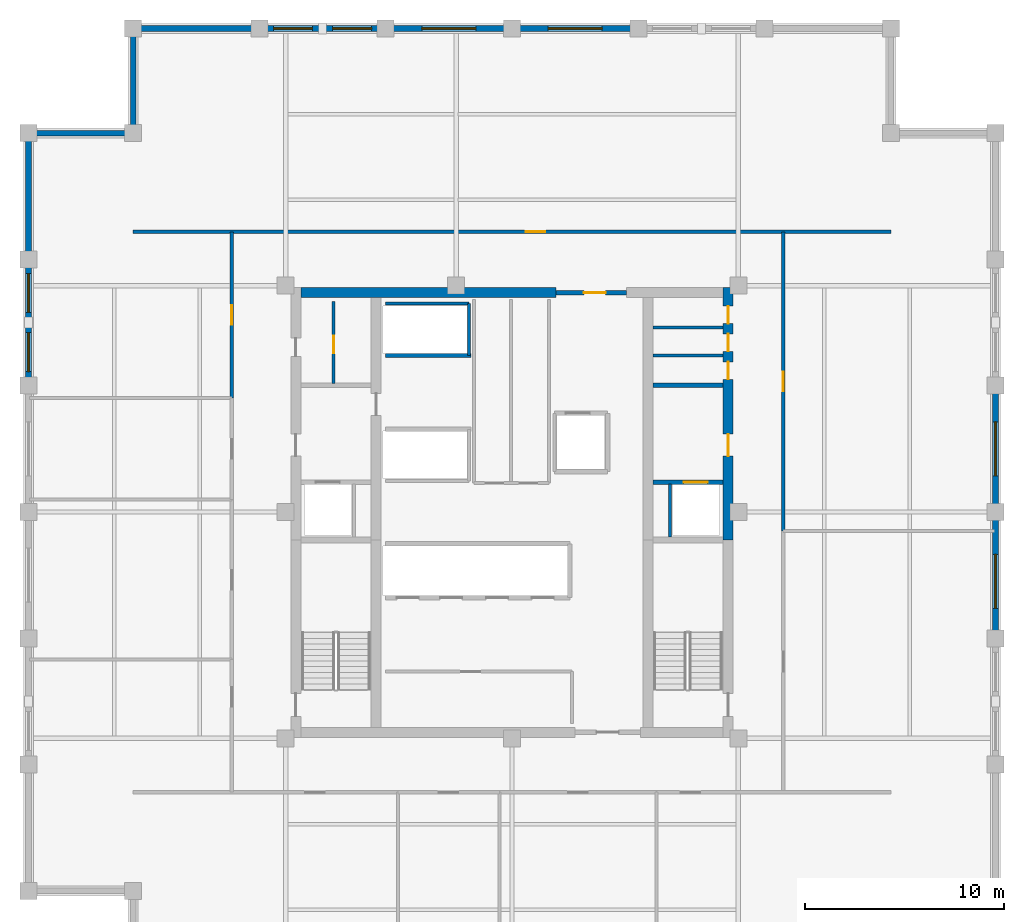
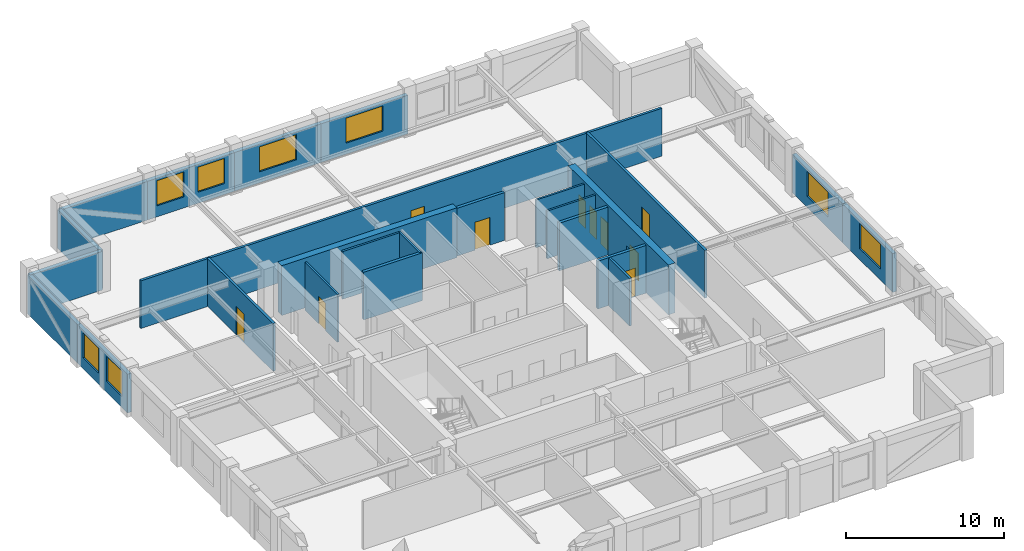
# One storey, part 4 of 6: 25 walls, 10 doors, 8 windows, 18 openings.
"""IFC4 building model written with IfcOpenShell, lengths in metres."""

import ifcopenshell
import ifcopenshell.guid

model = None  # the IFC model being written
_history = None  # IfcOwnerHistory: only IFC2X3 demands one
_inside = {}  # id of a spatial element -> (the spatial element, [elements in it])
_under = {}  # id of a project, library or spatial element -> (it, [spatial elements below it])
_declared = {}  # id of a project -> (the project, [libraries it declares])
_typed = {}  # id of a type object -> (the type object, [elements of that type])
_made_of = {}  # id of a material, layer set ... -> (it, [elements and type objects made of it])


def new_model(schema):
    """Start an empty IFC model of exactly this schema.

    Asked for "IFC4X3", IfcOpenShell would pick the latest addendum, in which some entities
    have other attributes; the version numbers below select the first issue.
    IFC2X3 requires an IfcOwnerHistory on every rooted entity: one is made here for all.
    """
    global model, _history
    if schema == "IFC4X3":
        model = ifcopenshell.file(schema_version=(4, 3, 0, 0))
    else:
        model = ifcopenshell.file(schema=schema)
    _inside.clear()
    _under.clear()
    _declared.clear()
    _typed.clear()
    _made_of.clear()
    _history = None
    if model.schema == "IFC2X3":
        org = make("IfcOrganization", Name="unknown")
        user = make(
            "IfcPersonAndOrganization",
            ThePerson=make("IfcPerson", FamilyName="unknown"),
            TheOrganization=org,
        )
        app = make(
            "IfcApplication",
            ApplicationDeveloper=org,
            Version="unknown",
            ApplicationFullName="unknown",
            ApplicationIdentifier="unknown",
        )
        _history = make(
            "IfcOwnerHistory",
            OwningUser=user,
            OwningApplication=app,
            ChangeAction="ADDED",
            CreationDate=0,
        )
    return model


def make(cls, **values):
    """One entity of the class cls with the attributes given. An attribute that is None is left unset."""
    return model.create_entity(
        cls, **{name: value for name, value in values.items() if value is not None}
    )


def rooted(cls, **values):
    """An entity with a GlobalId (a new one), such as an element, a storey or a relation."""
    return make(cls, GlobalId=ifcopenshell.guid.new(), OwnerHistory=_history, **values)


def si_unit(unit_type, name, prefix=None):
    """IfcSIUnit, for example si_unit("LENGTHUNIT", "METRE", prefix="MILLI")."""
    return make("IfcSIUnit", UnitType=unit_type, Prefix=prefix, Name=name)


def assignment(units):
    """IfcUnitAssignment: the units of a project."""
    return None if units is None else make("IfcUnitAssignment", Units=units)


def point(xyz):
    """IfcCartesianPoint."""
    return None if xyz is None else make("IfcCartesianPoint", Coordinates=xyz)


def direction(xyz):
    """IfcDirection."""
    return None if xyz is None else make("IfcDirection", DirectionRatios=xyz)


def frame(location, z_axis=None, x_axis=None):
    """IfcAxis2Placement3D, a coordinate frame: its origin and axes. An axis left out is left unset."""
    return make(
        "IfcAxis2Placement3D",
        Location=point(location),
        Axis=direction(z_axis),
        RefDirection=direction(x_axis),
    )


def frame_2d(location, x_axis=None):
    """IfcAxis2Placement2D, a coordinate frame in the plane: its origin and x axis."""
    return make(
        "IfcAxis2Placement2D", Location=point(location), RefDirection=direction(x_axis)
    )


def origin():
    """The frame at (0, 0, 0) with its axes left unset."""
    return frame((0.0, 0.0, 0.0))


def place(relative_to, where):
    """IfcLocalPlacement: puts the frame where relative to a parent placement (None: the world)."""
    return make(
        "IfcLocalPlacement", PlacementRelTo=relative_to, RelativePlacement=where
    )


def context(
    kind, dimensions, precision=None, world=None, true_north=None, identifier=None
):
    """IfcGeometricRepresentationContext, for example the 3D "Model" context."""
    return make(
        "IfcGeometricRepresentationContext",
        ContextIdentifier=identifier,
        ContextType=kind,
        CoordinateSpaceDimension=dimensions,
        Precision=precision,
        WorldCoordinateSystem=world,
        TrueNorth=true_north,
    )


def subcontext(parent, identifier, kind, view, scale=None):
    """IfcGeometricRepresentationSubContext, for example "Body" below "Model"."""
    return make(
        "IfcGeometricRepresentationSubContext",
        ContextIdentifier=identifier,
        ContextType=kind,
        ParentContext=parent,
        TargetScale=scale,
        TargetView=view,
    )


def project(units=None, contexts=None):
    """IfcProject with its units and contexts."""
    return rooted(
        "IfcProject",
        Name="project",
        RepresentationContexts=contexts,
        UnitsInContext=assignment(units),
    )


def spatial(cls, under=None, at=None, **own):
    """A site, building, storey or space (cls), placed at a placement, below another one or the project."""
    s = rooted(cls, ObjectPlacement=at, **own)
    if under is not None:
        _under.setdefault(under.id(), (under, []))[1].append(s)
    return s


def profile(cls, at=None, kind="AREA", **sizes):
    """A parametric profile (cls). Its sizes go by their IFC names, for example OverallWidth=200.0."""
    return make(cls, ProfileType=kind, Position=at, **sizes)


def rectangle(**sizes):
    """IfcRectangleProfileDef."""
    return profile("IfcRectangleProfileDef", **sizes)


def extrude(swept, where, along, depth):
    """IfcExtrudedAreaSolid: the profile swept, set in the frame where, extruded along a direction by depth."""
    return make(
        "IfcExtrudedAreaSolid",
        SweptArea=swept,
        Position=where,
        ExtrudedDirection=direction(along),
        Depth=depth,
    )


def shape(context_of_items, identifier, shape_type, items):
    """IfcShapeRepresentation: the items that make up one representation, for example the "Body"."""
    return make(
        "IfcShapeRepresentation",
        ContextOfItems=context_of_items,
        RepresentationIdentifier=identifier,
        RepresentationType=shape_type,
        Items=items,
    )


def material(Name=None, Category=None):
    """IfcMaterial."""
    return make("IfcMaterial", Name=Name, Category=Category)


def layer(
    of_material, thickness, ventilated=None, Name=None, Category=None, Priority=None
):
    """IfcMaterialLayer: one layer of a wall or slab, of a material (None: an air gap)."""
    return make(
        "IfcMaterialLayer",
        Material=of_material,
        LayerThickness=thickness,
        IsVentilated=ventilated,
        Name=Name,
        Category=Category,
        Priority=Priority,
    )


def layer_set(layers, Name=None):
    """IfcMaterialLayerSet."""
    return make("IfcMaterialLayerSet", MaterialLayers=layers, LayerSetName=Name)


def made_of(thing, what):
    """Note that an element or type object is made of a material, layer set ...; save() writes the relation."""
    if what is not None:
        _made_of.setdefault(what.id(), (what, []))[1].append(thing)
    return thing


def type_object(cls, material=None, **own):
    """A type object (cls), such as IfcWallType, which elements share."""
    return made_of(rooted(cls, **own), material)


def element(
    cls,
    number,
    at=None,
    inside=None,
    cuts=None,
    type_object=None,
    material=None,
    context=None,
    identifier="Body",
    shape_type=None,
    held_by="IfcProductDefinitionShape",
    body=None,
    shapes=None,
    **own,
):
    """One element of the class cls, such as IfcWall. Its Tag is "e" and its number.

    at: its placement. inside: the storey or other place that contains it. cuts: it is an
    opening in that element (IfcRelVoidsElement). A single representation is given by context,
    identifier, shape_type and body (its items); several are given by shapes. held_by: the class
    of the entity that holds the representations. save() writes the other relations.
    """
    e = rooted(cls, Tag="e%d" % number, ObjectPlacement=at, **own)
    if body is not None:
        shapes = [shape(context, identifier, shape_type, body)]
    if shapes is not None:
        e.Representation = make(held_by, Representations=shapes)
    if inside is not None:
        _inside.setdefault(inside.id(), (inside, []))[1].append(e)
    if cuts is not None:
        rooted(
            "IfcRelVoidsElement", RelatingBuildingElement=cuts, RelatedOpeningElement=e
        )
    if type_object is not None:
        _typed.setdefault(type_object.id(), (type_object, []))[1].append(e)
    return made_of(e, material)


def fill(opening, filler):
    """IfcRelFillsElement: the door or window that sits in an opening."""
    return rooted(
        "IfcRelFillsElement",
        RelatingOpeningElement=opening,
        RelatedBuildingElement=filler,
    )


def aggregate(whole, parts):
    """IfcRelAggregates: a whole, such as a stair, and the parts it consists of."""
    return rooted("IfcRelAggregates", RelatingObject=whole, RelatedObjects=parts)


def save(model, path):
    """Write the relations noted so far, then the file.

    IfcRelAggregates (storeys below a building ...), IfcRelContainedInSpatialStructure (elements
    in a storey), IfcRelDefinesByType, IfcRelAssociatesMaterial and IfcRelDeclares: one each for
    every whole, place, type object, material and project.
    """
    for whole, parts in _under.values():
        aggregate(whole, parts)
    for where, things in _inside.values():
        rooted(
            "IfcRelContainedInSpatialStructure",
            RelatedElements=things,
            RelatingStructure=where,
        )
    for kind, things in _typed.values():
        rooted("IfcRelDefinesByType", RelatedObjects=things, RelatingType=kind)
    for what, things in _made_of.values():
        rooted("IfcRelAssociatesMaterial", RelatedObjects=things, RelatingMaterial=what)
    for by, libraries in _declared.values():
        rooted("IfcRelDeclares", RelatingContext=by, RelatedDefinitions=libraries)
    model.write(path)


model = new_model("IFC4")

# Units and contexts
model_context = context("Model", 3, precision=1e-05, world=origin(), true_north=direction((0.0, 1.0)))
body_context = subcontext(model_context, "Body", "Model", "MODEL_VIEW")
ifc_project = project(units=[si_unit("LENGTHUNIT", "METRE"), si_unit("AREAUNIT", "SQUARE_METRE"), si_unit("VOLUMEUNIT", "CUBIC_METRE"), si_unit("PLANEANGLEUNIT", "RADIAN"), si_unit("MASSUNIT", "GRAM", prefix="KILO")], contexts=[model_context])

# Site, building, storey
site_placement = place(None, origin())
site = spatial("IfcSite", under=ifc_project, at=site_placement, CompositionType="ELEMENT")
building_placement = place(site_placement, origin())
building = spatial("IfcBuilding", under=site, at=building_placement, Name="Nhamokura Convention Tower", CompositionType="ELEMENT")
storey_placement = place(building_placement, frame((0.0, 0.0, 225.39990234375)))
storey = spatial("IfcBuildingStorey", under=building, at=storey_placement, Name="L55", CompositionType="ELEMENT", Elevation=225.39990234375)

# Wall, opening, door
ifc_material_1 = material(Name="Moisture-resistant tile-backer partition", Category="masonry")
ifc_layer_1 = layer(ifc_material_1, 0.139892578125)
ifc_layer_set_1 = layer_set([ifc_layer_1], Name="BathroomWetWall_140")
wall_type_1 = type_object("IfcWallType", Name="BathroomWetWall_140", PredefinedType="STANDARD", material=ifc_layer_set_1)
wall_1_placement = place(storey_placement, frame((23.050048828125, 38.449951171875, 0.0), z_axis=(0.0, 0.0, 1.0), x_axis=(0.0, 1.0, 0.0)))
wall_1 = element("IfcWall", 1, at=wall_1_placement, inside=storey, type_object=wall_type_1, Name="L55 Wall INT-L55-CWNWV", PredefinedType="STANDARD", context=body_context, shape_type="SweptSolid", body=[
    extrude(rectangle(XDim=4.10009765625, YDim=0.139892578125, at=frame_2d((2.050048828125, 0.0))), origin(), (0.0, 0.0, 1.0), 3.68505859375),
])
opening_1_placement = place(wall_1_placement, frame((1.5, 0.0, 0.0)))
opening_1 = element("IfcOpeningElement", 2, at=opening_1_placement, cuts=wall_1, Name="Opening D-11", PredefinedType="OPENING", context=body_context, shape_type="SweptSolid", body=[
    extrude(rectangle(XDim=0.8798828125, YDim=2.10009765625, at=frame_2d((0.43994140625, 1.050048828125))), frame((0.0, 0.079833984375, 0.0), z_axis=(0.0, -1.0, 0.0), x_axis=(1.0, 0.0, 0.0)), (0.0, 0.0, 1.0), 0.159912109375),
])
ifc_material_2 = material(Name="Solid oak hardwood", Category="wood")
door_type_1 = type_object("IfcDoorType", Name="BathroomDoor_880", OperationType="NOTDEFINED", PredefinedType="DOOR", material=ifc_material_2)
door_1_placement = place(opening_1_placement, origin())
door_1 = element("IfcDoor", 3, at=door_1_placement, inside=storey, type_object=door_type_1, Name="L55 Inner Store Door", OperationType="SINGLE_SWING_LEFT", OverallHeight=2.10009765625, OverallWidth=0.8798828125, PredefinedType="DOOR", context=body_context, shape_type="SweptSolid", body=[
    extrude(rectangle(XDim=0.8798828125, YDim=2.10009765625, at=frame_2d((0.43994140625, 1.050048828125))), frame((0.0, 0.02490234375, 0.0), z_axis=(0.0, -1.0, 0.0), x_axis=(1.0, 0.0, 0.0)), (0.0, 0.0, 1.0), 0.050048828125),
])
fill(opening_1, door_1)

# Walls
for number, where, z_axis, x_axis, name in (
    (4, (39.06005859375, 39.85009765625, 0.0), (0.0, 0.0, 1.0), (1.0, 0.0, 0.0), "L55 Wall INT-L55-CWNE1"),
    (5, (39.06005859375, 41.25, 0.0), (0.0, 0.0, 1.0), (1.0, 0.0, 0.0), "L55 Wall INT-L55-CWNE2"),
):
    element("IfcWall", number, at=place(storey_placement, frame(where, z_axis=z_axis, x_axis=x_axis)), inside=storey, type_object=wall_type_1, Name=name, PredefinedType="STANDARD", context=body_context, shape_type="SweptSolid", body=[
        extrude(rectangle(XDim=3.530029296875, YDim=0.139892578125, at=frame_2d((1.76513671875, 0.0))), origin(), (0.0, 0.0, 1.0), 3.68505859375),
    ])
ifc_material_3 = material(Name="Bronze-pigmented precast concrete C45/55", Category="concrete")
ifc_layer_2 = layer(ifc_material_3, 0.280029296875)
ifc_layer_set_2 = layer_set([ifc_layer_2], Name="BronzePrecastSpandrel_280")
wall_type_2 = type_object("IfcWallType", Name="BronzePrecastSpandrel_280", PredefinedType="USERDEFINED", material=ifc_layer_set_2)
wall_2_placement = place(storey_placement, frame((13.0, 56.25, 0.0), z_axis=(0.0, 0.0, 1.0), x_axis=(1.0, 0.0, 0.0)))
element("IfcWall", 6, at=wall_2_placement, inside=storey, type_object=wall_type_2, Name="L55 Braced-Bay Precast Wall NORTH 0", ObjectType="SPANDREL_WALL", PredefinedType="USERDEFINED", context=body_context, shape_type="SweptSolid", body=[
    extrude(rectangle(XDim=6.333251953125, YDim=0.280029296875, at=frame_2d((3.16650390625, 0.0))), origin(), (0.0, 0.0, 1.0), 2.985107421875),
])

# Wall, openings, windows
wall_3_placement = place(storey_placement, frame((19.333251953125, 56.25, 0.0), z_axis=(0.0, 0.0, 1.0), x_axis=(1.0, 0.0, 0.0)))
wall_3 = element("IfcWall", 7, at=wall_3_placement, inside=storey, type_object=wall_type_2, Name="L55 Masonry-Frame Wall NORTH 1", ObjectType="SPANDREL_WALL", PredefinedType="USERDEFINED", context=body_context, shape_type="SweptSolid", body=[
    extrude(rectangle(XDim=6.33349609375, YDim=0.280029296875, at=frame_2d((3.166748046875, 0.0))), origin(), (0.0, 0.0, 1.0), 2.985107421875),
])
opening_2_placement = place(wall_3_placement, frame((0.708251953125, 0.0, 0.85009765625)))
opening_2 = element("IfcOpeningElement", 8, at=opening_2_placement, cuts=wall_3, Name="Opening W-08", PredefinedType="OPENING", context=body_context, shape_type="SweptSolid", body=[
    extrude(rectangle(XDim=1.949951171875, YDim=1.93505859375, at=frame_2d((0.97509765625, 0.967529296875))), frame((0.0, 0.14990234375, 0.0), z_axis=(0.0, -1.0, 0.0), x_axis=(1.0, 0.0, 0.0)), (0.0, 0.0, 1.0), 0.300048828125),
])
opening_3_placement = place(wall_3_placement, frame((3.675048828125, 0.0, 0.85009765625)))
opening_3 = element("IfcOpeningElement", 9, at=opening_3_placement, cuts=wall_3, Name="Opening W-08", PredefinedType="OPENING", context=body_context, shape_type="SweptSolid", body=[
    extrude(rectangle(XDim=1.949951171875, YDim=1.93505859375, at=frame_2d((0.97509765625, 0.967529296875))), frame((0.0, 0.14990234375, 0.0), z_axis=(0.0, -1.0, 0.0), x_axis=(1.0, 0.0, 0.0)), (0.0, 0.0, 1.0), 0.300048828125),
])
ifc_material_4 = material(Name="Solar-control bronze low-E double glass", Category="glass")
window_type_1 = type_object("IfcWindowType", Name="OfficeModuleWindow_Z3_1950", PartitioningType="SINGLE_PANEL", PredefinedType="WINDOW", material=ifc_material_4)
window_1_placement = place(opening_2_placement, origin())
window_1 = element("IfcWindow", 10, at=window_1_placement, inside=storey, type_object=window_type_1, Name="L55 Facade Window NORTH 1-1", OverallHeight=1.93505859375, OverallWidth=1.949951171875, PartitioningType="SINGLE_PANEL", PredefinedType="WINDOW", context=body_context, shape_type="SweptSolid", body=[
    extrude(rectangle(XDim=1.949951171875, YDim=1.93505859375, at=frame_2d((0.97509765625, 0.967529296875))), frame((0.0, 0.030029296875, 0.0), z_axis=(0.0, -1.0, 0.0), x_axis=(1.0, 0.0, 0.0)), (0.0, 0.0, 1.0), 0.06005859375),
])
fill(opening_2, window_1)
window_2_placement = place(opening_3_placement, origin())
window_2 = element("IfcWindow", 11, at=window_2_placement, inside=storey, type_object=window_type_1, Name="L55 Facade Window NORTH 1-2", OverallHeight=1.93505859375, OverallWidth=1.949951171875, PartitioningType="SINGLE_PANEL", PredefinedType="WINDOW", context=body_context, shape_type="SweptSolid", body=[
    extrude(rectangle(XDim=1.949951171875, YDim=1.93505859375, at=frame_2d((0.97509765625, 0.967529296875))), frame((0.0, 0.030029296875, 0.0), z_axis=(0.0, -1.0, 0.0), x_axis=(1.0, 0.0, 0.0)), (0.0, 0.0, 1.0), 0.06005859375),
])
fill(opening_3, window_2)

# Wall, opening, window
wall_4_placement = place(storey_placement, frame((25.666748046875, 56.25, 0.0), z_axis=(0.0, 0.0, 1.0), x_axis=(1.0, 0.0, 0.0)))
wall_4 = element("IfcWall", 12, at=wall_4_placement, inside=storey, type_object=wall_type_2, Name="L55 Masonry-Frame Wall NORTH 2", ObjectType="SPANDREL_WALL", PredefinedType="USERDEFINED", context=body_context, shape_type="SweptSolid", body=[
    extrude(rectangle(XDim=6.333251953125, YDim=0.280029296875, at=frame_2d((3.16650390625, 0.0))), origin(), (0.0, 0.0, 1.0), 2.985107421875),
])
opening_4_placement = place(wall_4_placement, frame((1.816650390625, 0.0, 0.85009765625)))
opening_4 = element("IfcOpeningElement", 13, at=opening_4_placement, cuts=wall_4, Name="Opening W-07", PredefinedType="OPENING", context=body_context, shape_type="SweptSolid", body=[
    extrude(rectangle(XDim=2.699951171875, YDim=1.93505859375, at=frame_2d((1.35009765625, 0.967529296875))), frame((0.0, 0.14990234375, 0.0), z_axis=(0.0, -1.0, 0.0), x_axis=(1.0, 0.0, 0.0)), (0.0, 0.0, 1.0), 0.300048828125),
])
ifc_material_5 = material(Name="Solar-control bronze low-E double glass", Category="glass")
window_type_2 = type_object("IfcWindowType", Name="OfficeModuleWindow_Z3_2700", PartitioningType="DOUBLE_PANEL_VERTICAL", PredefinedType="WINDOW", material=ifc_material_5)
window_3_placement = place(opening_4_placement, origin())
window_3 = element("IfcWindow", 14, at=window_3_placement, inside=storey, type_object=window_type_2, Name="L55 Facade Window NORTH 2", OverallHeight=1.93505859375, OverallWidth=2.699951171875, PartitioningType="SINGLE_PANEL", PredefinedType="WINDOW", context=body_context, shape_type="SweptSolid", body=[
    extrude(rectangle(XDim=2.699951171875, YDim=1.93505859375, at=frame_2d((1.35009765625, 0.967529296875))), frame((0.0, 0.030029296875, 0.0), z_axis=(0.0, -1.0, 0.0), x_axis=(1.0, 0.0, 0.0)), (0.0, 0.0, 1.0), 0.06005859375),
])
fill(opening_4, window_3)

wall_5_placement = place(storey_placement, frame((32.0, 56.25, 0.0), z_axis=(0.0, 0.0, 1.0), x_axis=(1.0, 0.0, 0.0)))
wall_5 = element("IfcWall", 15, at=wall_5_placement, inside=storey, type_object=wall_type_2, Name="L55 Masonry-Frame Wall NORTH 3", ObjectType="SPANDREL_WALL", PredefinedType="USERDEFINED", context=body_context, shape_type="SweptSolid", body=[
    extrude(rectangle(XDim=6.333251953125, YDim=0.280029296875, at=frame_2d((3.16650390625, 0.0))), origin(), (0.0, 0.0, 1.0), 2.985107421875),
])
opening_5_placement = place(wall_5_placement, frame((1.816650390625, 0.0, 0.85009765625)))
opening_5 = element("IfcOpeningElement", 16, at=opening_5_placement, cuts=wall_5, Name="Opening W-07", PredefinedType="OPENING", context=body_context, shape_type="SweptSolid", body=[
    extrude(rectangle(XDim=2.699951171875, YDim=1.93505859375, at=frame_2d((1.35009765625, 0.967529296875))), frame((0.0, 0.14990234375, 0.0), z_axis=(0.0, -1.0, 0.0), x_axis=(1.0, 0.0, 0.0)), (0.0, 0.0, 1.0), 0.300048828125),
])
window_4_placement = place(opening_5_placement, origin())
window_4 = element("IfcWindow", 17, at=window_4_placement, inside=storey, type_object=window_type_2, Name="L55 Facade Window NORTH 3", OverallHeight=1.93505859375, OverallWidth=2.699951171875, PartitioningType="SINGLE_PANEL", PredefinedType="WINDOW", context=body_context, shape_type="SweptSolid", body=[
    extrude(rectangle(XDim=2.699951171875, YDim=1.93505859375, at=frame_2d((1.35009765625, 0.967529296875))), frame((0.0, 0.030029296875, 0.0), z_axis=(0.0, -1.0, 0.0), x_axis=(1.0, 0.0, 0.0)), (0.0, 0.0, 1.0), 0.06005859375),
])
fill(opening_5, window_4)

# Wall, openings, windows
wall_6_placement = place(storey_placement, frame((7.75, 38.333251953125, 0.0), z_axis=(0.0, 0.0, 1.0), x_axis=(0.0, 1.0, 0.0)))
wall_6 = element("IfcWall", 18, at=wall_6_placement, inside=storey, type_object=wall_type_2, Name="L55 Masonry-Frame Wall WEST 4", ObjectType="SPANDREL_WALL", PredefinedType="USERDEFINED", context=body_context, shape_type="SweptSolid", body=[
    extrude(rectangle(XDim=6.33349609375, YDim=0.280029296875, at=frame_2d((3.166748046875, 0.0))), origin(), (0.0, 0.0, 1.0), 2.985107421875),
])
opening_6_placement = place(wall_6_placement, frame((0.708251953125, 0.0, 0.85009765625)))
opening_6 = element("IfcOpeningElement", 19, at=opening_6_placement, cuts=wall_6, Name="Opening W-08", PredefinedType="OPENING", context=body_context, shape_type="SweptSolid", body=[
    extrude(rectangle(XDim=1.949951171875, YDim=1.93505859375, at=frame_2d((0.97509765625, 0.967529296875))), frame((0.0, 0.14990234375, 0.0), z_axis=(0.0, -1.0, 0.0), x_axis=(1.0, 0.0, 0.0)), (0.0, 0.0, 1.0), 0.300048828125),
])
opening_7_placement = place(wall_6_placement, frame((3.675048828125, 0.0, 0.85009765625)))
opening_7 = element("IfcOpeningElement", 20, at=opening_7_placement, cuts=wall_6, Name="Opening W-08", PredefinedType="OPENING", context=body_context, shape_type="SweptSolid", body=[
    extrude(rectangle(XDim=1.949951171875, YDim=1.93505859375, at=frame_2d((0.97509765625, 0.967529296875))), frame((0.0, 0.14990234375, 0.0), z_axis=(0.0, -1.0, 0.0), x_axis=(1.0, 0.0, 0.0)), (0.0, 0.0, 1.0), 0.300048828125),
])
window_5_placement = place(opening_6_placement, origin())
window_5 = element("IfcWindow", 21, at=window_5_placement, inside=storey, type_object=window_type_1, Name="L55 Facade Window WEST 4-1", OverallHeight=1.93505859375, OverallWidth=1.949951171875, PartitioningType="SINGLE_PANEL", PredefinedType="WINDOW", context=body_context, shape_type="SweptSolid", body=[
    extrude(rectangle(XDim=1.949951171875, YDim=1.93505859375, at=frame_2d((0.97509765625, 0.967529296875))), frame((0.0, 0.030029296875, 0.0), z_axis=(0.0, -1.0, 0.0), x_axis=(1.0, 0.0, 0.0)), (0.0, 0.0, 1.0), 0.06005859375),
])
fill(opening_6, window_5)
window_6_placement = place(opening_7_placement, origin())
window_6 = element("IfcWindow", 22, at=window_6_placement, inside=storey, type_object=window_type_1, Name="L55 Facade Window WEST 4-2", OverallHeight=1.93505859375, OverallWidth=1.949951171875, PartitioningType="SINGLE_PANEL", PredefinedType="WINDOW", context=body_context, shape_type="SweptSolid", body=[
    extrude(rectangle(XDim=1.949951171875, YDim=1.93505859375, at=frame_2d((0.97509765625, 0.967529296875))), frame((0.0, 0.030029296875, 0.0), z_axis=(0.0, -1.0, 0.0), x_axis=(1.0, 0.0, 0.0)), (0.0, 0.0, 1.0), 0.06005859375),
])
fill(opening_7, window_6)

# Wall
wall_7_placement = place(storey_placement, frame((7.75, 44.666748046875, 0.0), z_axis=(0.0, 0.0, 1.0), x_axis=(0.0, 1.0, 0.0)))
element("IfcWall", 23, at=wall_7_placement, inside=storey, type_object=wall_type_2, Name="L55 Braced-Bay Precast Wall WEST 5", ObjectType="SPANDREL_WALL", PredefinedType="USERDEFINED", context=body_context, shape_type="SweptSolid", body=[
    extrude(rectangle(XDim=6.333251953125, YDim=0.280029296875, at=frame_2d((3.16650390625, 0.0))), origin(), (0.0, 0.0, 1.0), 2.985107421875),
])

# Wall, opening, window
wall_8_placement = place(storey_placement, frame((56.25, 32.0, 0.0), z_axis=(0.0, 0.0, 1.0), x_axis=(0.0, -1.0, 0.0)))
wall_8 = element("IfcWall", 24, at=wall_8_placement, inside=storey, type_object=wall_type_2, Name="L55 Masonry-Frame Wall EAST 2", ObjectType="SPANDREL_WALL", PredefinedType="USERDEFINED", context=body_context, shape_type="SweptSolid", body=[
    extrude(rectangle(XDim=6.333251953125, YDim=0.280029296875, at=frame_2d((3.16650390625, 0.0))), origin(), (0.0, 0.0, 1.0), 2.985107421875),
])
opening_8_placement = place(wall_8_placement, frame((2.129150390625, 0.0, 0.85009765625)))
opening_8 = element("IfcOpeningElement", 25, at=opening_8_placement, cuts=wall_8, Name="Opening W-07", PredefinedType="OPENING", context=body_context, shape_type="SweptSolid", body=[
    extrude(rectangle(XDim=2.699951171875, YDim=1.93505859375, at=frame_2d((1.35009765625, 0.967529296875))), frame((0.0, 0.14990234375, 0.0), z_axis=(0.0, -1.0, 0.0), x_axis=(1.0, 0.0, 0.0)), (0.0, 0.0, 1.0), 0.300048828125),
])
window_7_placement = place(opening_8_placement, origin())
window_7 = element("IfcWindow", 26, at=window_7_placement, inside=storey, type_object=window_type_2, Name="L55 Facade Window EAST 2", OverallHeight=1.93505859375, OverallWidth=2.699951171875, PartitioningType="SINGLE_PANEL", PredefinedType="WINDOW", context=body_context, shape_type="SweptSolid", body=[
    extrude(rectangle(XDim=2.699951171875, YDim=1.93505859375, at=frame_2d((1.35009765625, 0.967529296875))), frame((0.0, 0.030029296875, 0.0), z_axis=(0.0, -1.0, 0.0), x_axis=(1.0, 0.0, 0.0)), (0.0, 0.0, 1.0), 0.06005859375),
])
fill(opening_8, window_7)

wall_9_placement = place(storey_placement, frame((56.25, 38.333251953125, 0.0), z_axis=(0.0, 0.0, 1.0), x_axis=(0.0, -1.0, 0.0)))
wall_9 = element("IfcWall", 27, at=wall_9_placement, inside=storey, type_object=wall_type_2, Name="L55 Masonry-Frame Wall EAST 3", ObjectType="SPANDREL_WALL", PredefinedType="USERDEFINED", context=body_context, shape_type="SweptSolid", body=[
    extrude(rectangle(XDim=6.333251953125, YDim=0.280029296875, at=frame_2d((3.16650390625, 0.0))), origin(), (0.0, 0.0, 1.0), 2.985107421875),
])
opening_9_placement = place(wall_9_placement, frame((1.816650390625, 0.0, 0.85009765625)))
opening_9 = element("IfcOpeningElement", 28, at=opening_9_placement, cuts=wall_9, Name="Opening W-07", PredefinedType="OPENING", context=body_context, shape_type="SweptSolid", body=[
    extrude(rectangle(XDim=2.699951171875, YDim=1.93505859375, at=frame_2d((1.35009765625, 0.967529296875))), frame((0.0, 0.14990234375, 0.0), z_axis=(0.0, -1.0, 0.0), x_axis=(1.0, 0.0, 0.0)), (0.0, 0.0, 1.0), 0.300048828125),
])
window_8_placement = place(opening_9_placement, origin())
window_8 = element("IfcWindow", 29, at=window_8_placement, inside=storey, type_object=window_type_2, Name="L55 Facade Window EAST 3", OverallHeight=1.93505859375, OverallWidth=2.699951171875, PartitioningType="SINGLE_PANEL", PredefinedType="WINDOW", context=body_context, shape_type="SweptSolid", body=[
    extrude(rectangle(XDim=2.699951171875, YDim=1.93505859375, at=frame_2d((1.35009765625, 0.967529296875))), frame((0.0, 0.030029296875, 0.0), z_axis=(0.0, -1.0, 0.0), x_axis=(1.0, 0.0, 0.0)), (0.0, 0.0, 1.0), 0.06005859375),
])
fill(opening_9, window_8)

# Walls
for number, where, z_axis, x_axis, name in (
    (30, (13.0, 51.0, 0.0), (0.0, 0.0, 1.0), (0.0, 1.0, 0.0), "L55 Notched Corner Wall NW1"),
    (31, (7.75, 51.0, 0.0), (0.0, 0.0, 1.0), (1.0, 0.0, 0.0), "L55 Notched Corner Wall NW2"),
):
    element("IfcWall", number, at=place(storey_placement, frame(where, z_axis=z_axis, x_axis=x_axis)), inside=storey, type_object=wall_type_2, Name=name, ObjectType="SPANDREL_WALL", PredefinedType="USERDEFINED", context=body_context, shape_type="SweptSolid", body=[
        extrude(rectangle(XDim=5.25, YDim=0.280029296875, at=frame_2d((2.625, 0.0))), origin(), (0.0, 0.0, 1.0), 2.985107421875),
    ])

# Wall, openings, doors
ifc_material_6 = material(Name="Concrete C60/75", Category="concrete")
ifc_layer_3 = layer(ifc_material_6, 0.5)
ifc_layer_set_3 = layer_set([ifc_layer_3], Name="CoreShearWall_500")
wall_type_3 = type_object("IfcWallType", Name="CoreShearWall_500", PredefinedType="SHEAR", material=ifc_layer_set_3)
wall_10_placement = place(storey_placement, frame((42.840087890625, 30.60009765625, 0.0), z_axis=(0.0, 0.0, 1.0), x_axis=(0.0, 1.0, 0.0)))
wall_10 = element("IfcWall", 32, at=wall_10_placement, inside=storey, type_object=wall_type_3, Name="L55 Core Shear Wall CW-EN", PredefinedType="SHEAR", context=body_context, shape_type="SweptSolid", body=[
    extrude(rectangle(XDim=12.64990234375, YDim=0.5, at=frame_2d((6.324951171875, 0.0))), origin(), (0.0, 0.0, 1.0), 3.85009765625),
])
opening_10_placement = place(wall_10_placement, frame((4.199951171875, 0.0, 0.0)))
opening_10 = element("IfcOpeningElement", 33, at=opening_10_placement, cuts=wall_10, Name="Opening D-05", PredefinedType="OPENING", context=body_context, shape_type="SweptSolid", body=[
    extrude(rectangle(XDim=1.10009765625, YDim=2.14990234375, at=frame_2d((0.550048828125, 1.074951171875))), frame((0.0, 0.260009765625, 0.0), z_axis=(0.0, -1.0, 0.0), x_axis=(1.0, 0.0, 0.0)), (0.0, 0.0, 1.0), 0.52001953125),
])
opening_11_placement = place(wall_10_placement, frame((8.050048828125, 0.0, 0.0)))
opening_11 = element("IfcOpeningElement", 34, at=opening_11_placement, cuts=wall_10, Name="Opening D-11", PredefinedType="OPENING", context=body_context, shape_type="SweptSolid", body=[
    extrude(rectangle(XDim=0.8798828125, YDim=2.10009765625, at=frame_2d((0.43994140625, 1.050048828125))), frame((0.0, 0.260009765625, 0.0), z_axis=(0.0, -1.0, 0.0), x_axis=(1.0, 0.0, 0.0)), (0.0, 0.0, 1.0), 0.52001953125),
])
opening_12_placement = place(wall_10_placement, frame((9.449951171875, 0.0, 0.0)))
opening_12 = element("IfcOpeningElement", 35, at=opening_12_placement, cuts=wall_10, Name="Opening D-11", PredefinedType="OPENING", context=body_context, shape_type="SweptSolid", body=[
    extrude(rectangle(XDim=0.8798828125, YDim=2.10009765625, at=frame_2d((0.43994140625, 1.050048828125))), frame((0.0, 0.260009765625, 0.0), z_axis=(0.0, -1.0, 0.0), x_axis=(1.0, 0.0, 0.0)), (0.0, 0.0, 1.0), 0.52001953125),
])
opening_13_placement = place(wall_10_placement, frame((10.85009765625, 0.0, 0.0)))
opening_13 = element("IfcOpeningElement", 36, at=opening_13_placement, cuts=wall_10, Name="Opening D-11", PredefinedType="OPENING", context=body_context, shape_type="SweptSolid", body=[
    extrude(rectangle(XDim=0.8798828125, YDim=2.10009765625, at=frame_2d((0.43994140625, 1.050048828125))), frame((0.0, 0.260009765625, 0.0), z_axis=(0.0, -1.0, 0.0), x_axis=(1.0, 0.0, 0.0)), (0.0, 0.0, 1.0), 0.52001953125),
])
door_2_placement = place(opening_11_placement, origin())
door_2 = element("IfcDoor", 37, at=door_2_placement, inside=storey, type_object=door_type_1, Name="L55 Core Door INT-L55-D-MWC", OperationType="SINGLE_SWING_LEFT", OverallHeight=2.10009765625, OverallWidth=0.8798828125, PredefinedType="DOOR", context=body_context, shape_type="SweptSolid", body=[
    extrude(rectangle(XDim=0.8798828125, YDim=2.10009765625, at=frame_2d((0.43994140625, 1.050048828125))), frame((0.0, 0.02490234375, 0.0), z_axis=(0.0, -1.0, 0.0), x_axis=(1.0, 0.0, 0.0)), (0.0, 0.0, 1.0), 0.050048828125),
])
fill(opening_11, door_2)
door_3_placement = place(opening_12_placement, origin())
door_3 = element("IfcDoor", 38, at=door_3_placement, inside=storey, type_object=door_type_1, Name="L55 Core Door INT-L55-D-FWC", OperationType="SINGLE_SWING_RIGHT", OverallHeight=2.10009765625, OverallWidth=0.8798828125, PredefinedType="DOOR", context=body_context, shape_type="SweptSolid", body=[
    extrude(rectangle(XDim=0.8798828125, YDim=2.10009765625, at=frame_2d((0.43994140625, 1.050048828125))), frame((0.0, 0.02490234375, 0.0), z_axis=(0.0, -1.0, 0.0), x_axis=(1.0, 0.0, 0.0)), (0.0, 0.0, 1.0), 0.050048828125),
])
fill(opening_12, door_3)
door_4_placement = place(opening_13_placement, origin())
door_4 = element("IfcDoor", 39, at=door_4_placement, inside=storey, type_object=door_type_1, Name="L55 Core Door INT-L55-D-ARC", OperationType="SINGLE_SWING_LEFT", OverallHeight=2.10009765625, OverallWidth=0.8798828125, PredefinedType="DOOR", context=body_context, shape_type="SweptSolid", body=[
    extrude(rectangle(XDim=0.8798828125, YDim=2.10009765625, at=frame_2d((0.43994140625, 1.050048828125))), frame((0.0, 0.02490234375, 0.0), z_axis=(0.0, -1.0, 0.0), x_axis=(1.0, 0.0, 0.0)), (0.0, 0.0, 1.0), 0.050048828125),
])
fill(opening_13, door_4)
ifc_material_7 = material(Name="Fire-rated steel door", Category="steel")
door_type_2 = type_object("IfcDoorType", Name="FireLobbyDoor_1100", OperationType="NOTDEFINED", PredefinedType="DOOR", material=ifc_material_7)
door_5_placement = place(opening_10_placement, origin())
door_5 = element("IfcDoor", 40, at=door_5_placement, inside=storey, type_object=door_type_2, Name="L55 Core Door INT-L55-D-FFLE", OperationType="SINGLE_SWING_LEFT", OverallHeight=2.14990234375, OverallWidth=1.10009765625, PredefinedType="DOOR", context=body_context, shape_type="SweptSolid", body=[
    extrude(rectangle(XDim=1.10009765625, YDim=2.14990234375, at=frame_2d((0.550048828125, 1.074951171875))), frame((0.0, 0.02490234375, 0.0), z_axis=(0.0, -1.0, 0.0), x_axis=(1.0, 0.0, 0.0)), (0.0, 0.0, 1.0), 0.050048828125),
])
fill(opening_10, door_5)

# Wall
wall_11_placement = place(storey_placement, frame((21.409912109375, 43.0, 0.0), z_axis=(0.0, 0.0, 1.0), x_axis=(1.0, 0.0, 0.0)))
element("IfcWall", 41, at=wall_11_placement, inside=storey, type_object=wall_type_3, Name="L55 Core Shear Wall CW-N1", PredefinedType="SHEAR", context=body_context, shape_type="SweptSolid", body=[
    extrude(rectangle(XDim=12.7900390625, YDim=0.5, at=frame_2d((6.39501953125, 0.0))), origin(), (0.0, 0.0, 1.0), 3.85009765625),
])

# Wall, opening, door
ifc_material_8 = material(Name="Fire-rated gypsum and masonry partition", Category="masonry")
ifc_layer_4 = layer(ifc_material_8, 0.179931640625)
ifc_layer_set_4 = layer_set([ifc_layer_4], Name="CorridorRatedWall_180")
wall_type_4 = type_object("IfcWallType", Name="CorridorRatedWall_180", PredefinedType="STANDARD", material=ifc_layer_set_4)
wall_12_placement = place(storey_placement, frame((13.0, 46.050048828125, 0.0), z_axis=(0.0, 0.0, 1.0), x_axis=(1.0, 0.0, 0.0)))
wall_12 = element("IfcWall", 42, at=wall_12_placement, inside=storey, type_object=wall_type_4, Name="L55 Wall INT-L55-CW-N00", PredefinedType="STANDARD", context=body_context, shape_type="SweptSolid", body=[
    extrude(rectangle(XDim=38.0, YDim=0.179931640625, at=frame_2d((19.0, 0.0))), origin(), (0.0, 0.0, 1.0), 3.68505859375),
])
opening_14_placement = place(wall_12_placement, frame((19.699951171875, 0.0, 0.0)))
opening_14 = element("IfcOpeningElement", 43, at=opening_14_placement, cuts=wall_12, Name="Opening D-08", PredefinedType="OPENING", context=body_context, shape_type="SweptSolid", body=[
    extrude(rectangle(XDim=0.97998046875, YDim=2.199951171875, at=frame_2d((0.489990234375, 1.10009765625))), frame((0.0, 0.099853515625, 0.0), z_axis=(0.0, -1.0, 0.0), x_axis=(1.0, 0.0, 0.0)), (0.0, 0.0, 1.0), 0.199951171875),
])
ifc_material_9 = material(Name="Solid oak hardwood", Category="wood")
door_type_3 = type_object("IfcDoorType", Name="OfficeEntryDoor_980", OperationType="NOTDEFINED", PredefinedType="DOOR", material=ifc_material_9)
door_6_placement = place(opening_14_placement, origin())
door_6 = element("IfcDoor", 44, at=door_6_placement, inside=storey, type_object=door_type_3, Name="L55 Boardroom N01 Door", OperationType="SINGLE_SWING_LEFT", OverallHeight=2.199951171875, OverallWidth=0.97998046875, PredefinedType="DOOR", context=body_context, shape_type="SweptSolid", body=[
    extrude(rectangle(XDim=0.97998046875, YDim=2.199951171875, at=frame_2d((0.489990234375, 1.10009765625))), frame((0.0, 0.02490234375, 0.0), z_axis=(0.0, -1.0, 0.0), x_axis=(1.0, 0.0, 0.0)), (0.0, 0.0, 1.0), 0.050048828125),
])
fill(opening_14, door_6)

wall_13_placement = place(storey_placement, frame((17.949951171875, 37.708251953125, 0.0), z_axis=(0.0, 0.0, 1.0), x_axis=(0.0, 1.0, 0.0)))
wall_13 = element("IfcWall", 45, at=wall_13_placement, inside=storey, type_object=wall_type_4, Name="L55 Wall INT-L55-CW-W03", PredefinedType="STANDARD", context=body_context, shape_type="SweptSolid", body=[
    extrude(rectangle(XDim=8.341796875, YDim=0.179931640625, at=frame_2d((4.1708984375, 0.0))), origin(), (0.0, 0.0, 1.0), 3.68505859375),
])
opening_15_placement = place(wall_13_placement, frame((3.6708984375, 0.0, 0.0)))
opening_15 = element("IfcOpeningElement", 46, at=opening_15_placement, cuts=wall_13, Name="Opening D-08", PredefinedType="OPENING", context=body_context, shape_type="SweptSolid", body=[
    extrude(rectangle(XDim=0.97998046875, YDim=2.199951171875, at=frame_2d((0.489990234375, 1.10009765625))), frame((0.0, 0.099853515625, 0.0), z_axis=(0.0, -1.0, 0.0), x_axis=(1.0, 0.0, 0.0)), (0.0, 0.0, 1.0), 0.199951171875),
])
door_7_placement = place(opening_15_placement, origin())
door_7 = element("IfcDoor", 47, at=door_7_placement, inside=storey, type_object=door_type_3, Name="L55 Kitchen W04 Door", OperationType="SINGLE_SWING_RIGHT", OverallHeight=2.199951171875, OverallWidth=0.97998046875, PredefinedType="DOOR", context=body_context, shape_type="SweptSolid", body=[
    extrude(rectangle(XDim=0.97998046875, YDim=2.199951171875, at=frame_2d((0.489990234375, 1.10009765625))), frame((0.0, 0.02490234375, 0.0), z_axis=(0.0, -1.0, 0.0), x_axis=(1.0, 0.0, 0.0)), (0.0, 0.0, 1.0), 0.050048828125),
])
fill(opening_15, door_7)

wall_14_placement = place(storey_placement, frame((45.60009765625, 31.050048828125, 0.0), z_axis=(0.0, 0.0, 1.0), x_axis=(0.0, 1.0, 0.0)))
wall_14 = element("IfcWall", 48, at=wall_14_placement, inside=storey, type_object=wall_type_4, Name="L55 Wall INT-L55-CW-E01", PredefinedType="STANDARD", context=body_context, shape_type="SweptSolid", body=[
    extrude(rectangle(XDim=15.0, YDim=0.179931640625, at=frame_2d((7.5, 0.0))), origin(), (0.0, 0.0, 1.0), 3.68505859375),
])
opening_16_placement = place(wall_14_placement, frame((7.0, 0.0, 0.0)))
opening_16 = element("IfcOpeningElement", 49, at=opening_16_placement, cuts=wall_14, Name="Opening D-08", PredefinedType="OPENING", context=body_context, shape_type="SweptSolid", body=[
    extrude(rectangle(XDim=0.97998046875, YDim=2.199951171875, at=frame_2d((0.489990234375, 1.10009765625))), frame((0.0, 0.099853515625, 0.0), z_axis=(0.0, -1.0, 0.0), x_axis=(1.0, 0.0, 0.0)), (0.0, 0.0, 1.0), 0.199951171875),
])
door_8_placement = place(opening_16_placement, origin())
door_8 = element("IfcDoor", 50, at=door_8_placement, inside=storey, type_object=door_type_3, Name="L55 Collaboration Lounge E02 Door", OperationType="SINGLE_SWING_RIGHT", OverallHeight=2.199951171875, OverallWidth=0.97998046875, PredefinedType="DOOR", context=body_context, shape_type="SweptSolid", body=[
    extrude(rectangle(XDim=0.97998046875, YDim=2.199951171875, at=frame_2d((0.489990234375, 1.10009765625))), frame((0.0, 0.02490234375, 0.0), z_axis=(0.0, -1.0, 0.0), x_axis=(1.0, 0.0, 0.0)), (0.0, 0.0, 1.0), 0.050048828125),
])
fill(opening_16, door_8)

ifc_material_10 = material(Name="Autoclaved concrete blockwork", Category="masonry")
ifc_layer_5 = layer(ifc_material_10, 0.219970703125)
ifc_layer_set_5 = layer_set([ifc_layer_5], Name="FireLobbyWall_220")
wall_type_5 = type_object("IfcWallType", Name="FireLobbyWall_220", PredefinedType="STANDARD", material=ifc_layer_set_5)
wall_15_placement = place(storey_placement, frame((39.06005859375, 33.5, 0.0), z_axis=(0.0, 0.0, 1.0), x_axis=(1.0, 0.0, 0.0)))
wall_15 = element("IfcWall", 51, at=wall_15_placement, inside=storey, type_object=wall_type_5, Name="L55 Wall INT-L55-FFE-S", PredefinedType="STANDARD", context=body_context, shape_type="SweptSolid", body=[
    extrude(rectangle(XDim=3.530029296875, YDim=0.219970703125, at=frame_2d((1.76513671875, 0.0))), origin(), (0.0, 0.0, 1.0), 3.68505859375),
])
opening_17_placement = place(wall_15_placement, frame((1.550048828125, 0.0, 0.0)))
opening_17 = element("IfcOpeningElement", 52, at=opening_17_placement, cuts=wall_15, Name="Opening LD-02", PredefinedType="OPENING", context=body_context, shape_type="SweptSolid", body=[
    extrude(rectangle(XDim=1.199951171875, YDim=2.199951171875, at=frame_2d((0.60009765625, 1.10009765625))), frame((0.0, 0.119873046875, 0.0), z_axis=(0.0, -1.0, 0.0), x_axis=(1.0, 0.0, 0.0)), (0.0, 0.0, 1.0), 0.239990234375),
])
ifc_material_11 = material(Name="Anodised bronze stainless steel", Category="steel")
door_type_4 = type_object("IfcDoorType", Name="LiftLandingDoor_FireService", OperationType="DOUBLE_DOOR_SLIDING", PredefinedType="DOOR", material=ifc_material_11)
door_9_placement = place(opening_17_placement, origin())
door_9 = element("IfcDoor", 53, at=door_9_placement, inside=storey, type_object=door_type_4, Name="L55 Firefighting Lift LF-02 Door", OperationType="DOUBLE_DOOR_SLIDING", OverallHeight=2.199951171875, OverallWidth=1.199951171875, PredefinedType="DOOR", context=body_context, shape_type="SweptSolid", body=[
    extrude(rectangle(XDim=1.199951171875, YDim=2.199951171875, at=frame_2d((0.60009765625, 1.10009765625))), frame((0.0, 0.02490234375, 0.0), z_axis=(0.0, -1.0, 0.0), x_axis=(1.0, 0.0, 0.0)), (0.0, 0.0, 1.0), 0.050048828125),
])
fill(opening_17, door_9)

# Walls
wall_16_placement = place(storey_placement, frame((39.06005859375, 38.35009765625, 0.0), z_axis=(0.0, 0.0, 1.0), x_axis=(1.0, 0.0, 0.0)))
element("IfcWall", 54, at=wall_16_placement, inside=storey, type_object=wall_type_5, Name="L55 Wall INT-L55-FFE-N", PredefinedType="STANDARD", context=body_context, shape_type="SweptSolid", body=[
    extrude(rectangle(XDim=3.530029296875, YDim=0.219970703125, at=frame_2d((1.76513671875, 0.0))), origin(), (0.0, 0.0, 1.0), 3.68505859375),
])
wall_17_placement = place(storey_placement, frame((25.64990234375, 39.85009765625, 0.0), z_axis=(0.0, 0.0, 1.0), x_axis=(1.0, 0.0, 0.0)))
element("IfcWall", 55, at=wall_17_placement, inside=storey, type_object=wall_type_5, Name="L55 Wall INT-L55-B3N", PredefinedType="STANDARD", context=body_context, shape_type="SweptSolid", body=[
    extrude(rectangle(XDim=4.300048828125, YDim=0.219970703125, at=frame_2d((2.14990234375, 0.0))), origin(), (0.0, 0.0, 1.0), 3.68505859375),
])

# Wall, opening, door
wall_18_placement = place(storey_placement, frame((34.199951171875, 43.0, 0.0), z_axis=(0.0, 0.0, 1.0), x_axis=(1.0, 0.0, 0.0)))
wall_18 = element("IfcWall", 56, at=wall_18_placement, inside=storey, type_object=wall_type_5, Name="L55 Wall INT-L55-CPORT-N", PredefinedType="STANDARD", context=body_context, shape_type="SweptSolid", body=[
    extrude(rectangle(XDim=3.550048828125, YDim=0.219970703125, at=frame_2d((1.77490234375, 0.0))), origin(), (0.0, 0.0, 1.0), 3.68505859375),
])
opening_18_placement = place(wall_18_placement, frame((1.39990234375, 0.0, 0.0)))
opening_18 = element("IfcOpeningElement", 57, at=opening_18_placement, cuts=wall_18, Name="Opening D-05", PredefinedType="OPENING", context=body_context, shape_type="SweptSolid", body=[
    extrude(rectangle(XDim=1.10009765625, YDim=2.14990234375, at=frame_2d((0.550048828125, 1.074951171875))), frame((0.0, 0.119873046875, 0.0), z_axis=(0.0, -1.0, 0.0), x_axis=(1.0, 0.0, 0.0)), (0.0, 0.0, 1.0), 0.239990234375),
])
door_10_placement = place(opening_18_placement, origin())
door_10 = element("IfcDoor", 58, at=door_10_placement, inside=storey, type_object=door_type_2, Name="L55 North Core Lobby Portal Door", OperationType="SINGLE_SWING_RIGHT", OverallHeight=2.14990234375, OverallWidth=1.10009765625, PredefinedType="DOOR", context=body_context, shape_type="SweptSolid", body=[
    extrude(rectangle(XDim=1.10009765625, YDim=2.14990234375, at=frame_2d((0.550048828125, 1.074951171875))), frame((0.0, 0.02490234375, 0.0), z_axis=(0.0, -1.0, 0.0), x_axis=(1.0, 0.0, 0.0)), (0.0, 0.0, 1.0), 0.050048828125),
])
fill(opening_18, door_10)

# Walls
ifc_material_12 = material(Name="Acoustic gypsum stud partition", Category="masonry")
ifc_layer_6 = layer(ifc_material_12, 0.14990234375)
ifc_layer_set_6 = layer_set([ifc_layer_6], Name="InteriorPartition_150")
wall_type_6 = type_object("IfcWallType", Name="InteriorPartition_150", PredefinedType="STANDARD", material=ifc_layer_set_6)
wall_19_placement = place(storey_placement, frame((39.919921875, 30.75, 0.0), z_axis=(0.0, 0.0, 1.0), x_axis=(0.0, 1.0, 0.0)))
element("IfcWall", 59, at=wall_19_placement, inside=storey, type_object=wall_type_6, Name="L55 Wall INT-L55-FF2-W", PredefinedType="STANDARD", context=body_context, shape_type="SweptSolid", body=[
    extrude(rectangle(XDim=2.64990234375, YDim=0.14990234375, at=frame_2d((1.324951171875, 0.0))), origin(), (0.0, 0.0, 1.0), 3.68505859375),
])
wall_20_placement = place(storey_placement, frame((25.64990234375, 42.449951171875, 0.0), z_axis=(0.0, 0.0, 1.0), x_axis=(1.0, 0.0, 0.0)))
element("IfcWall", 60, at=wall_20_placement, inside=storey, type_object=wall_type_6, Name="L55 Wall INT-L55-B3B-N", PredefinedType="STANDARD", context=body_context, shape_type="SweptSolid", body=[
    extrude(rectangle(XDim=4.2001953125, YDim=0.14990234375, at=frame_2d((2.10009765625, 0.0))), origin(), (0.0, 0.0, 1.0), 3.68505859375),
])
wall_21_placement = place(storey_placement, frame((29.85009765625, 39.85009765625, 0.0), z_axis=(0.0, 0.0, 1.0), x_axis=(0.0, 1.0, 0.0)))
element("IfcWall", 61, at=wall_21_placement, inside=storey, type_object=wall_type_6, Name="L55 Wall INT-L55-B3B-E", PredefinedType="STANDARD", context=body_context, shape_type="SweptSolid", body=[
    extrude(rectangle(XDim=2.599853515625, YDim=0.14990234375, at=frame_2d((1.2998046875, 0.0))), origin(), (0.0, 0.0, 1.0), 3.68505859375),
])

save(model, "model.ifc")
